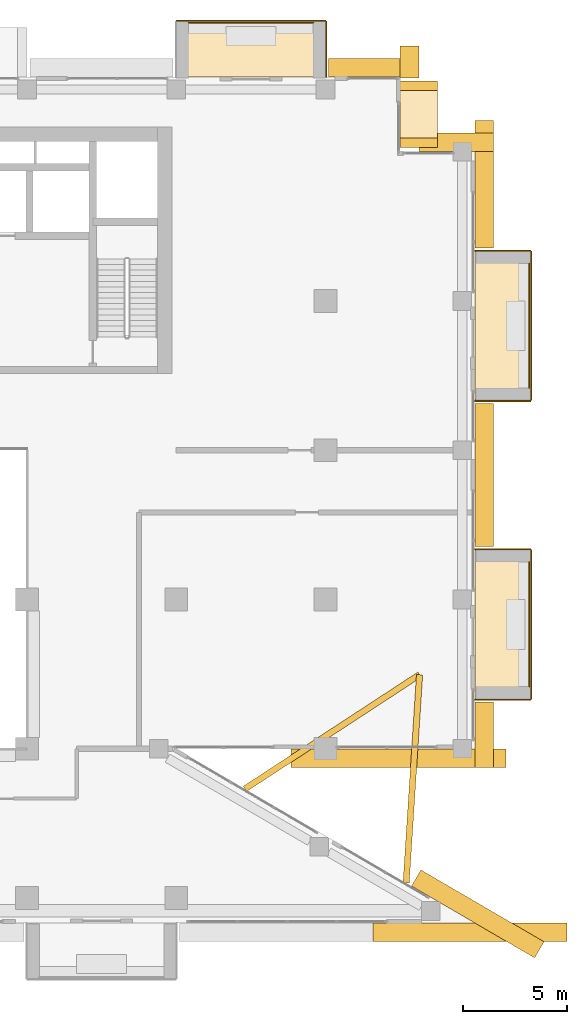
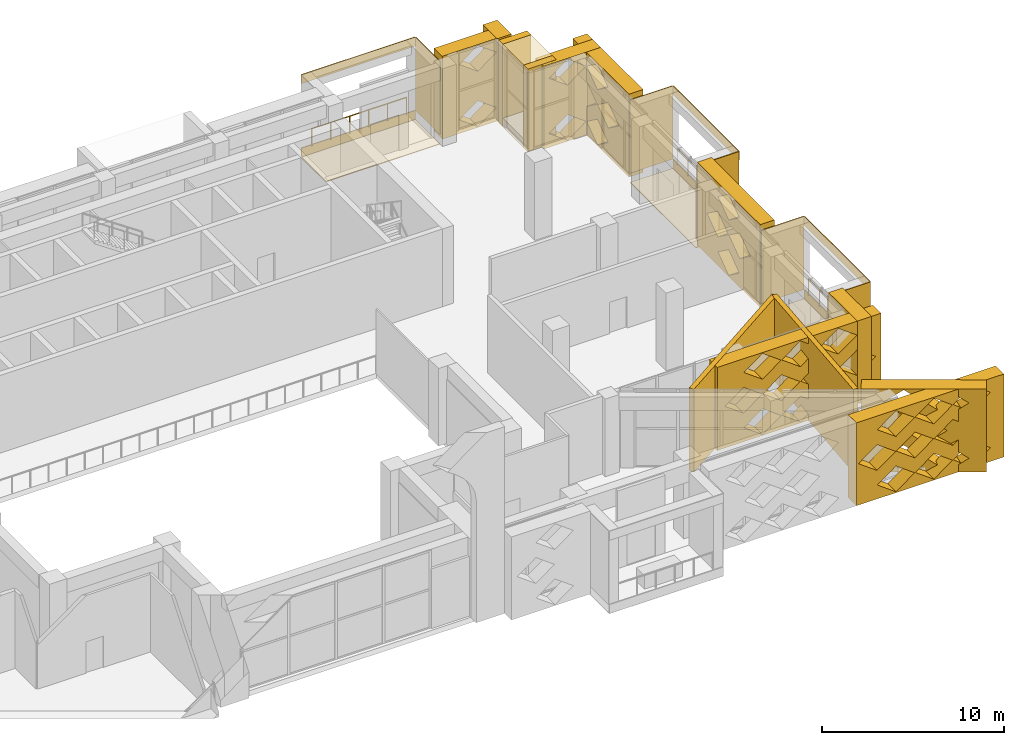
# One storey, part 24 of 25: 29 coverings, 3 railings.
"""IFC4 building model written with IfcOpenShell, lengths in metres."""

from ifc_helpers import new_model, si_unit, direction, frame, origin, origin_2d, place, context, subcontext, project, spatial, polyline, circle, outline, extrude, material, layer, layer_set, type_object, element, save


model = new_model("IFC4")

# Units and contexts
model_context = context("Model", 3, precision=1e-05, world=origin(), true_north=direction((0.0, 1.0)))
body_context = subcontext(model_context, "Body", "Model", "MODEL_VIEW")
ifc_project = project(units=[si_unit("LENGTHUNIT", "METRE"), si_unit("AREAUNIT", "SQUARE_METRE"), si_unit("VOLUMEUNIT", "CUBIC_METRE"), si_unit("PLANEANGLEUNIT", "RADIAN"), si_unit("MASSUNIT", "GRAM", prefix="KILO")], contexts=[model_context])

# Site, building, storey
site_placement = place(None, origin())
site = spatial("IfcSite", under=ifc_project, at=site_placement, CompositionType="ELEMENT")
building_placement = place(site_placement, origin())
building = spatial("IfcBuilding", under=site, at=building_placement, Name="Saffron Iwan Residences", CompositionType="ELEMENT")
storey_placement = place(building_placement, frame((0.0, 0.0, 137.5)))
storey = spatial("IfcBuildingStorey", under=building, at=storey_placement, Name="L36", CompositionType="ELEMENT", Elevation=137.5)

# Railings
ifc_material_1 = material(Name="Stainless steel 316", Category="steel")
railing_type = type_object("IfcRailingType", Name="BALCONY GUARD 1150", PredefinedType="GUARDRAIL", material=ifc_material_1)
for number, where, name in (
    (1, (89.02490234375, 51.0, 0.0), "Balcony guard L36 F2-0"),
    (2, (89.02490234375, 65.39990234375, 0.0), "Balcony guard L36 F2-1"),
):
    element("IfcRailing", number, at=place(storey_placement, frame(where)), inside=storey, type_object=railing_type, Name=name, PredefinedType="GUARDRAIL", context=body_context, shape_type="SweptSolid", body=[
        extrude(circle(Radius=0.02392578125, at=origin_2d()), frame((0.0, 0.0, 1.1259765625), z_axis=(0.0, 1.0, 0.0), x_axis=(-1.0, 0.0, 0.0)), (0.0, 0.0, 1.0), 6.0),
        extrude(circle(Radius=0.02099609375, at=origin_2d()), origin(), (0.0, 0.0, 1.0), 1.101806640625),
        extrude(circle(Radius=0.02099609375, at=origin_2d()), frame((0.0, 1.199951171875, 0.0)), (0.0, 0.0, 1.0), 1.101806640625),
        extrude(circle(Radius=0.02099609375, at=origin_2d()), frame((0.0, 2.39990234375, 0.0)), (0.0, 0.0, 1.0), 1.101806640625),
        extrude(circle(Radius=0.02099609375, at=origin_2d()), frame((0.0, 3.60009765625, 0.0)), (0.0, 0.0, 1.0), 1.101806640625),
        extrude(circle(Radius=0.02099609375, at=origin_2d()), frame((0.0, 4.800048828125, 0.0)), (0.0, 0.0, 1.0), 1.101806640625),
        extrude(circle(Radius=0.02099609375, at=origin_2d()), frame((0.0, 6.0, 0.0)), (0.0, 0.0, 1.0), 1.101806640625),
    ])
railing_placement = place(storey_placement, frame((78.60009765625, 83.02490234375, 0.0)))
element("IfcRailing", 3, at=railing_placement, inside=storey, type_object=railing_type, Name="Balcony guard L36 F5-0", PredefinedType="GUARDRAIL", context=body_context, shape_type="SweptSolid", body=[
    extrude(circle(Radius=0.02392578125, at=origin_2d()), frame((0.0, 0.0, 1.1259765625), z_axis=(-1.0, 0.0, 0.0), x_axis=(0.0, -1.0, 0.0)), (0.0, 0.0, 1.0), 6.0),
    extrude(circle(Radius=0.02099609375, at=origin_2d()), origin(), (0.0, 0.0, 1.0), 1.101806640625),
    extrude(circle(Radius=0.02099609375, at=origin_2d()), frame((-1.199951171875, 0.0, 0.0)), (0.0, 0.0, 1.0), 1.101806640625),
    extrude(circle(Radius=0.02099609375, at=origin_2d()), frame((-2.39990234375, 0.0, 0.0)), (0.0, 0.0, 1.0), 1.101806640625),
    extrude(circle(Radius=0.02099609375, at=origin_2d()), frame((-3.60009765625, 0.0, 0.0)), (0.0, 0.0, 1.0), 1.101806640625),
    extrude(circle(Radius=0.02099609375, at=origin_2d()), frame((-4.800048828125, 0.0, 0.0)), (0.0, 0.0, 1.0), 1.101806640625),
    extrude(circle(Radius=0.02099609375, at=origin_2d()), frame((-6.0, 0.0, 0.0)), (0.0, 0.0, 1.0), 1.101806640625),
])

# Coverings
ifc_material_2 = material(Name="Precast concrete C40/50 white painted", Category="concrete")
ifc_layer_1 = layer(ifc_material_2, 0.050048828125)
ifc_layer_set_1 = layer_set([ifc_layer_1], Name="Precast concrete C40/50 white painted")
covering_type_1 = type_object("IfcCoveringType", Name="FRAME SKIN PRECAST WHITE 50", PredefinedType="CLADDING", material=ifc_layer_set_1)
covering_1_placement = place(storey_placement, frame((0.0, 0.0, -0.60009765625)))
element("IfcCovering", 4, at=covering_1_placement, inside=storey, type_object=covering_type_1, Name="Frame skin slab edge L36 F2-0", PredefinedType="CLADDING", context=body_context, shape_type="SweptSolid", body=[
    extrude(outline(polyline([(89.14990234375, 50.39990234375), (89.14990234375, 57.60009765625), (89.10009765625, 57.60009765625), (89.10009765625, 50.39990234375), (89.14990234375, 50.39990234375)])), origin(), (0.0, 0.0, 1.0), 0.60009765625),
])
covering_2_placement = place(storey_placement, frame((0.0, 0.0, 4.300048828125)))
element("IfcCovering", 5, at=covering_2_placement, inside=storey, type_object=covering_type_1, Name="Frame skin fascia L36 F2-0", PredefinedType="CLADDING", context=body_context, shape_type="SweptSolid", body=[
    extrude(outline(polyline([(89.14990234375, 50.39990234375), (89.14990234375, 57.60009765625), (89.10009765625, 57.60009765625), (89.10009765625, 50.39990234375), (89.14990234375, 50.39990234375)])), origin(), (0.0, 0.0, 1.0), 0.599853515625),
])
covering_3_placement = place(storey_placement, frame((0.0, 0.0, -0.64990234375)))
element("IfcCovering", 6, at=covering_3_placement, inside=storey, type_object=covering_type_1, Name="Frame skin soffit L36 F2-0", PredefinedType="CLADDING", context=body_context, shape_type="SweptSolid", body=[
    extrude(outline(polyline([(89.10009765625, 50.39990234375), (89.10009765625, 57.60009765625), (86.39990234375, 57.60009765625), (86.39990234375, 50.39990234375), (89.10009765625, 50.39990234375)])), origin(), (0.0, 0.0, 1.0), 0.0498046875),
])
covering_4_placement = place(storey_placement, origin())
element("IfcCovering", 7, at=covering_4_placement, inside=storey, type_object=covering_type_1, Name="Frame skin fin L36 F2-0a", PredefinedType="CLADDING", context=body_context, shape_type="SweptSolid", body=[
    extrude(outline(polyline([(89.10009765625, 50.35009765625), (89.10009765625, 50.39990234375), (86.39990234375, 50.39990234375), (86.39990234375, 50.35009765625), (89.10009765625, 50.35009765625)])), origin(), (0.0, 0.0, 1.0), 4.89990234375),
])
covering_5_placement = place(storey_placement, origin())
element("IfcCovering", 8, at=covering_5_placement, inside=storey, type_object=covering_type_1, Name="Frame skin fin L36 F2-0b", PredefinedType="CLADDING", context=body_context, shape_type="SweptSolid", body=[
    extrude(outline(polyline([(89.10009765625, 57.60009765625), (89.10009765625, 57.64990234375), (86.39990234375, 57.64990234375), (86.39990234375, 57.60009765625), (89.10009765625, 57.60009765625)])), origin(), (0.0, 0.0, 1.0), 4.89990234375),
])
covering_6_placement = place(storey_placement, frame((0.0, 0.0, -0.60009765625)))
element("IfcCovering", 9, at=covering_6_placement, inside=storey, type_object=covering_type_1, Name="Frame skin slab edge L36 F2-1", PredefinedType="CLADDING", context=body_context, shape_type="SweptSolid", body=[
    extrude(outline(polyline([(89.14990234375, 64.800048828125), (89.14990234375, 72.0), (89.10009765625, 72.0), (89.10009765625, 64.800048828125), (89.14990234375, 64.800048828125)])), origin(), (0.0, 0.0, 1.0), 0.60009765625),
])
covering_7_placement = place(storey_placement, frame((0.0, 0.0, 4.300048828125)))
element("IfcCovering", 10, at=covering_7_placement, inside=storey, type_object=covering_type_1, Name="Frame skin fascia L36 F2-1", PredefinedType="CLADDING", context=body_context, shape_type="SweptSolid", body=[
    extrude(outline(polyline([(89.14990234375, 64.800048828125), (89.14990234375, 72.0), (89.10009765625, 72.0), (89.10009765625, 64.800048828125), (89.14990234375, 64.800048828125)])), origin(), (0.0, 0.0, 1.0), 0.599853515625),
])
covering_8_placement = place(storey_placement, frame((0.0, 0.0, -0.64990234375)))
element("IfcCovering", 11, at=covering_8_placement, inside=storey, type_object=covering_type_1, Name="Frame skin soffit L36 F2-1", PredefinedType="CLADDING", context=body_context, shape_type="SweptSolid", body=[
    extrude(outline(polyline([(89.10009765625, 64.800048828125), (89.10009765625, 72.0), (86.39990234375, 72.0), (86.39990234375, 64.800048828125), (89.10009765625, 64.800048828125)])), origin(), (0.0, 0.0, 1.0), 0.0498046875),
])
covering_9_placement = place(storey_placement, origin())
element("IfcCovering", 12, at=covering_9_placement, inside=storey, type_object=covering_type_1, Name="Frame skin fin L36 F2-1a", PredefinedType="CLADDING", context=body_context, shape_type="SweptSolid", body=[
    extrude(outline(polyline([(89.10009765625, 64.75), (89.10009765625, 64.800048828125), (86.39990234375, 64.800048828125), (86.39990234375, 64.75), (89.10009765625, 64.75)])), origin(), (0.0, 0.0, 1.0), 4.89990234375),
])
covering_10_placement = place(storey_placement, origin())
element("IfcCovering", 13, at=covering_10_placement, inside=storey, type_object=covering_type_1, Name="Frame skin fin L36 F2-1b", PredefinedType="CLADDING", context=body_context, shape_type="SweptSolid", body=[
    extrude(outline(polyline([(89.10009765625, 72.0), (89.10009765625, 72.050048828125), (86.39990234375, 72.050048828125), (86.39990234375, 72.0), (89.10009765625, 72.0)])), origin(), (0.0, 0.0, 1.0), 4.89990234375),
])
covering_11_placement = place(storey_placement, frame((0.0, 0.0, -0.60009765625)))
element("IfcCovering", 14, at=covering_11_placement, inside=storey, type_object=covering_type_1, Name="Frame skin slab edge L36 F5-0", PredefinedType="CLADDING", context=body_context, shape_type="SweptSolid", body=[
    extrude(outline(polyline([(79.199951171875, 83.14990234375), (72.0, 83.14990234375), (72.0, 83.10009765625), (79.199951171875, 83.10009765625), (79.199951171875, 83.14990234375)])), origin(), (0.0, 0.0, 1.0), 0.60009765625),
])
covering_12_placement = place(storey_placement, frame((0.0, 0.0, 4.300048828125)))
element("IfcCovering", 15, at=covering_12_placement, inside=storey, type_object=covering_type_1, Name="Frame skin fascia L36 F5-0", PredefinedType="CLADDING", context=body_context, shape_type="SweptSolid", body=[
    extrude(outline(polyline([(79.199951171875, 83.14990234375), (72.0, 83.14990234375), (72.0, 83.10009765625), (79.199951171875, 83.10009765625), (79.199951171875, 83.14990234375)])), origin(), (0.0, 0.0, 1.0), 0.599853515625),
])
covering_13_placement = place(storey_placement, frame((0.0, 0.0, -0.64990234375)))
element("IfcCovering", 16, at=covering_13_placement, inside=storey, type_object=covering_type_1, Name="Frame skin soffit L36 F5-0", PredefinedType="CLADDING", context=body_context, shape_type="SweptSolid", body=[
    extrude(outline(polyline([(79.199951171875, 83.10009765625), (72.0, 83.10009765625), (72.0, 80.39990234375), (79.199951171875, 80.39990234375), (79.199951171875, 83.10009765625)])), origin(), (0.0, 0.0, 1.0), 0.0498046875),
])
covering_14_placement = place(storey_placement, origin())
element("IfcCovering", 17, at=covering_14_placement, inside=storey, type_object=covering_type_1, Name="Frame skin fin L36 F5-0a", PredefinedType="CLADDING", context=body_context, shape_type="SweptSolid", body=[
    extrude(outline(polyline([(79.25, 83.10009765625), (79.199951171875, 83.10009765625), (79.199951171875, 80.39990234375), (79.25, 80.39990234375), (79.25, 83.10009765625)])), origin(), (0.0, 0.0, 1.0), 4.89990234375),
])
ifc_material_3 = material(Name="Precast concrete C40/50", Category="concrete")
covering_type_2 = type_object("IfcCoveringType", Name="OUTER SKIN LATTICE SCREEN", PredefinedType="CLADDING", material=ifc_material_3)
covering_15_placement = place(storey_placement, frame((89.283935546875, 37.917724609375, -0.35009765625), z_axis=(0.503803550485, 0.863818257806, 0.0), x_axis=(-0.863818257806, 0.503803550485, 0.0)))
element("IfcCovering", 18, at=covering_15_placement, inside=storey, type_object=covering_type_2, Name="OUTER SKIN lattice screen L36 F0.0", PredefinedType="CLADDING", context=body_context, shape_type="SweptSolid", body=[
    extrude(outline(polyline([(0.0, 0.0), (6.874267578125, 0.0), (6.874267578125, 5.550048828125), (0.0, 5.550048828125), (0.0, 0.0)]), holes=[polyline([(0.958740234375, 0.925048828125), (2.138671875, 0.06005859375), (3.318603515625, 0.925048828125), (2.138671875, 1.7900390625), (0.958740234375, 0.925048828125)]), polyline([(3.358642578125, 0.925048828125), (4.538818359375, 0.06005859375), (5.71875, 0.925048828125), (4.538818359375, 1.7900390625), (3.358642578125, 0.925048828125)]), polyline([(2.15869140625, 2.77490234375), (3.338623046875, 1.909912109375), (4.518798828125, 2.77490234375), (3.338623046875, 3.639892578125), (2.15869140625, 2.77490234375)]), polyline([(0.958740234375, 4.625), (2.138671875, 3.760009765625), (3.318603515625, 4.625), (2.138671875, 5.489990234375), (0.958740234375, 4.625)]), polyline([(3.358642578125, 4.625), (4.538818359375, 3.760009765625), (5.71875, 4.625), (4.538818359375, 5.489990234375), (3.358642578125, 4.625)])]), origin(), (0.0, 0.0, 1.0), 0.89990234375),
])
covering_16_placement = place(storey_placement, frame((77.538818359375, 48.0, -0.35009765625), z_axis=(0.0, -1.0, 0.0), x_axis=(1.0, 0.0, 0.0)))
element("IfcCovering", 19, at=covering_16_placement, inside=storey, type_object=covering_type_2, Name="OUTER SKIN lattice screen L36 F1.0", PredefinedType="CLADDING", context=body_context, shape_type="SweptSolid", body=[
    extrude(outline(polyline([(0.0, 0.0), (10.361328125, 0.0), (10.361328125, 5.550048828125), (0.0, 5.550048828125), (0.0, 0.0)]), holes=[polyline([(1.681396484375, 0.925048828125), (2.861328125, 0.06005859375), (4.041259765625, 0.925048828125), (2.861328125, 1.7900390625), (1.681396484375, 0.925048828125)]), polyline([(4.081298828125, 0.925048828125), (5.26123046875, 0.06005859375), (6.44140625, 0.925048828125), (5.26123046875, 1.7900390625), (4.081298828125, 0.925048828125)]), polyline([(6.481201171875, 0.925048828125), (7.661376953125, 0.06005859375), (8.84130859375, 0.925048828125), (7.661376953125, 1.7900390625), (6.481201171875, 0.925048828125)]), polyline([(0.481201171875, 2.77490234375), (1.661376953125, 1.909912109375), (2.84130859375, 2.77490234375), (1.661376953125, 3.639892578125), (0.481201171875, 2.77490234375)]), polyline([(2.88134765625, 2.77490234375), (4.061279296875, 1.909912109375), (5.2412109375, 2.77490234375), (4.061279296875, 3.639892578125), (2.88134765625, 2.77490234375)]), polyline([(5.28125, 2.77490234375), (6.461181640625, 1.909912109375), (7.641357421875, 2.77490234375), (6.461181640625, 3.639892578125), (5.28125, 2.77490234375)]), polyline([(7.681396484375, 2.77490234375), (8.861328125, 1.909912109375), (10.041259765625, 2.77490234375), (8.861328125, 3.639892578125), (7.681396484375, 2.77490234375)]), polyline([(1.681396484375, 4.625), (2.861328125, 3.760009765625), (4.041259765625, 4.625), (2.861328125, 5.489990234375), (1.681396484375, 4.625)]), polyline([(4.081298828125, 4.625), (5.26123046875, 3.760009765625), (6.44140625, 4.625), (5.26123046875, 5.489990234375), (4.081298828125, 4.625)]), polyline([(6.481201171875, 4.625), (7.661376953125, 3.760009765625), (8.84130859375, 4.625), (7.661376953125, 5.489990234375), (6.481201171875, 4.625)])]), origin(), (0.0, 0.0, 1.0), 0.89990234375),
])
covering_17_placement = place(storey_placement, frame((86.39990234375, 47.10009765625, -0.35009765625), z_axis=(1.0, 0.0, 0.0), x_axis=(0.0, 1.0, 0.0)))
element("IfcCovering", 20, at=covering_17_placement, inside=storey, type_object=covering_type_2, Name="OUTER SKIN lattice screen L36 F2.0", PredefinedType="CLADDING", context=body_context, shape_type="SweptSolid", body=[
    extrude(outline(polyline([(0.0, 0.0), (3.14990234375, 0.0), (3.14990234375, 5.550048828125), (0.0, 5.550048828125), (0.0, 0.0)])), origin(), (0.0, 0.0, 1.0), 0.900146484375),
])
covering_18_placement = place(storey_placement, frame((86.39990234375, 57.75, -0.35009765625), z_axis=(1.0, 0.0, 0.0), x_axis=(0.0, 1.0, 0.0)))
element("IfcCovering", 21, at=covering_18_placement, inside=storey, type_object=covering_type_2, Name="OUTER SKIN lattice screen L36 F2.1", PredefinedType="CLADDING", context=body_context, shape_type="SweptSolid", body=[
    extrude(outline(polyline([(0.0, 0.0), (6.89990234375, 0.0), (6.89990234375, 5.550048828125), (0.0, 5.550048828125), (0.0, 0.0)]), holes=[polyline([(2.27001953125, 0.925048828125), (3.449951171875, 0.06005859375), (4.6298828125, 0.925048828125), (3.449951171875, 1.7900390625), (2.27001953125, 0.925048828125)]), polyline([(1.070068359375, 2.77490234375), (2.25, 1.909912109375), (3.429931640625, 2.77490234375), (2.25, 3.639892578125), (1.070068359375, 2.77490234375)]), polyline([(3.469970703125, 2.77490234375), (4.64990234375, 1.909912109375), (5.830078125, 2.77490234375), (4.64990234375, 3.639892578125), (3.469970703125, 2.77490234375)]), polyline([(2.27001953125, 4.625), (3.449951171875, 3.760009765625), (4.6298828125, 4.625), (3.449951171875, 5.489990234375), (2.27001953125, 4.625)])]), origin(), (0.0, 0.0, 1.0), 0.900146484375),
])
covering_19_placement = place(storey_placement, frame((86.39990234375, 72.14990234375, -0.35009765625), z_axis=(1.0, 0.0, 0.0), x_axis=(0.0, 1.0, 0.0)))
element("IfcCovering", 22, at=covering_19_placement, inside=storey, type_object=covering_type_2, Name="OUTER SKIN lattice screen L36 F2.2", PredefinedType="CLADDING", context=body_context, shape_type="SweptSolid", body=[
    extrude(outline(polyline([(0.0, 0.0), (6.14990234375, 0.0), (6.14990234375, 5.550048828125), (0.0, 5.550048828125), (0.0, 0.0)]), holes=[polyline([(2.27001953125, 0.925048828125), (3.449951171875, 0.06005859375), (4.6298828125, 0.925048828125), (3.449951171875, 1.7900390625), (2.27001953125, 0.925048828125)]), polyline([(1.070068359375, 2.77490234375), (2.25, 1.909912109375), (3.429931640625, 2.77490234375), (2.25, 3.639892578125), (1.070068359375, 2.77490234375)]), polyline([(3.469970703125, 2.77490234375), (4.64990234375, 1.909912109375), (5.830078125, 2.77490234375), (4.64990234375, 3.639892578125), (3.469970703125, 2.77490234375)]), polyline([(2.27001953125, 4.625), (3.449951171875, 3.760009765625), (4.6298828125, 4.625), (3.449951171875, 5.489990234375), (2.27001953125, 4.625)])]), origin(), (0.0, 0.0, 1.0), 0.900146484375),
])
covering_20_placement = place(storey_placement, frame((87.300048828125, 76.800048828125, -0.35009765625), z_axis=(0.0, 1.0, 0.0), x_axis=(-1.0, 0.0, 0.0)))
element("IfcCovering", 23, at=covering_20_placement, inside=storey, type_object=covering_type_2, Name="OUTER SKIN lattice screen L36 F3.0", PredefinedType="CLADDING", context=body_context, shape_type="SweptSolid", body=[
    extrude(outline(polyline([(0.0, 0.0), (3.60009765625, 0.0), (3.60009765625, 5.550048828125), (0.0, 5.550048828125), (0.0, 0.0)]), holes=[polyline([(0.919921875, 0.925048828125), (2.10009765625, 0.06005859375), (3.280029296875, 0.925048828125), (2.10009765625, 1.7900390625), (0.919921875, 0.925048828125)]), polyline([(0.919921875, 4.625), (2.10009765625, 3.760009765625), (3.280029296875, 4.625), (2.10009765625, 5.489990234375), (0.919921875, 4.625)])]), origin(), (0.0, 0.0, 1.0), 0.89990234375),
])
covering_21_placement = place(storey_placement, frame((82.800048828125, 80.35009765625, -0.35009765625), z_axis=(1.0, 0.0, 0.0), x_axis=(0.0, 1.0, 0.0)))
element("IfcCovering", 24, at=covering_21_placement, inside=storey, type_object=covering_type_2, Name="OUTER SKIN lattice screen L36 F4.0", PredefinedType="CLADDING", context=body_context, shape_type="SweptSolid", body=[
    extrude(outline(polyline([(0.0, 0.0), (1.550048828125, 0.0), (1.550048828125, 5.550048828125), (0.0, 5.550048828125), (0.0, 0.0)])), origin(), (0.0, 0.0, 1.0), 0.89990234375),
])
covering_22_placement = place(storey_placement, frame((83.699951171875, 80.39990234375, -0.35009765625), z_axis=(0.0, 1.0, 0.0), x_axis=(-1.0, 0.0, 0.0)))
element("IfcCovering", 25, at=covering_22_placement, inside=storey, type_object=covering_type_2, Name="OUTER SKIN lattice screen L36 F5.0", PredefinedType="CLADDING", context=body_context, shape_type="SweptSolid", body=[
    extrude(outline(polyline([(0.0, 0.0), (4.35009765625, 0.0), (4.35009765625, 5.550048828125), (0.0, 5.550048828125), (0.0, 0.0)]), holes=[polyline([(0.919921875, 0.925048828125), (2.10009765625, 0.06005859375), (3.280029296875, 0.925048828125), (2.10009765625, 1.7900390625), (0.919921875, 0.925048828125)]), polyline([(0.919921875, 4.625), (2.10009765625, 3.760009765625), (3.280029296875, 4.625), (2.10009765625, 5.489990234375), (0.919921875, 4.625)])]), origin(), (0.0, 0.0, 1.0), 0.900146484375),
])
covering_23_placement = place(storey_placement, frame((81.494384765625, 39.60009765625, -0.35009765625), z_axis=(0.0, -1.0, 0.0), x_axis=(1.0, 0.0, 0.0)))
element("IfcCovering", 26, at=covering_23_placement, inside=storey, type_object=covering_type_2, Name="OUTER SKIN lattice screen L36 F11.4", PredefinedType="CLADDING", context=body_context, shape_type="SweptSolid", body=[
    extrude(outline(polyline([(0.0, 0.0), (9.344482421875, 0.0), (9.344482421875, 5.550048828125), (0.0, 5.550048828125), (0.0, 0.0)]), holes=[polyline([(1.32568359375, 0.925048828125), (2.505615234375, 0.06005859375), (3.685791015625, 0.925048828125), (2.505615234375, 1.7900390625), (1.32568359375, 0.925048828125)]), polyline([(3.7255859375, 0.925048828125), (4.90576171875, 0.06005859375), (6.085693359375, 0.925048828125), (4.90576171875, 1.7900390625), (3.7255859375, 0.925048828125)]), polyline([(6.125732421875, 0.925048828125), (7.3056640625, 0.06005859375), (8.485595703125, 0.925048828125), (7.3056640625, 1.7900390625), (6.125732421875, 0.925048828125)]), polyline([(0.125732421875, 2.77490234375), (1.3056640625, 1.909912109375), (2.485595703125, 2.77490234375), (1.3056640625, 3.639892578125), (0.125732421875, 2.77490234375)]), polyline([(2.525634765625, 2.77490234375), (3.705810546875, 1.909912109375), (4.8857421875, 2.77490234375), (3.705810546875, 3.639892578125), (2.525634765625, 2.77490234375)]), polyline([(4.92578125, 2.77490234375), (6.105712890625, 1.909912109375), (7.28564453125, 2.77490234375), (6.105712890625, 3.639892578125), (4.92578125, 2.77490234375)]), polyline([(1.32568359375, 4.625), (2.505615234375, 3.760009765625), (3.685791015625, 4.625), (2.505615234375, 5.489990234375), (1.32568359375, 4.625)]), polyline([(3.7255859375, 4.625), (4.90576171875, 3.760009765625), (6.085693359375, 4.625), (4.90576171875, 5.489990234375), (3.7255859375, 4.625)]), polyline([(6.125732421875, 4.625), (7.3056640625, 3.760009765625), (8.485595703125, 4.625), (7.3056640625, 5.489990234375), (6.125732421875, 4.625)])]), origin(), (0.0, 0.0, 1.0), 0.900146484375),
])
ifc_layer_2 = layer(ifc_material_2, 0.300048828125)
ifc_layer_set_2 = layer_set([ifc_layer_2], Name="Precast concrete C40/50 white painted")
covering_type_3 = type_object("IfcCoveringType", Name="PROW NOSE BLADE PRECAST WHITE", PredefinedType="CLADDING", material=ifc_layer_set_2)
covering_24_placement = place(storey_placement, frame((0.0, 0.0, -0.35009765625)))
element("IfcCovering", 27, at=covering_24_placement, inside=storey, type_object=covering_type_3, Name="Prow nose blade L36 a", PredefinedType="CLADDING", context=body_context, shape_type="SweptSolid", body=[
    extrude(outline(polyline([(83.23681640625, 41.52294921875), (83.884521484375, 51.564453125), (83.585205078125, 51.583740234375), (82.937255859375, 41.542236328125), (83.23681640625, 41.52294921875)])), origin(), (0.0, 0.0, 1.0), 5.550048828125),
])
covering_25_placement = place(storey_placement, frame((0.0, 0.0, -0.35009765625)))
element("IfcCovering", 28, at=covering_25_placement, inside=storey, type_object=covering_type_3, Name="Prow nose blade L36 b", PredefinedType="CLADDING", context=body_context, shape_type="SweptSolid", body=[
    extrude(outline(polyline([(75.39501953125, 45.94189453125), (83.81689453125, 51.448486328125), (83.65283203125, 51.69970703125), (75.23095703125, 46.193115234375), (75.39501953125, 45.94189453125)])), origin(), (0.0, 0.0, 1.0), 5.550048828125),
])
covering_type_4 = type_object("IfcCoveringType", Name="WHITE SUN FRAME PRECAST", PredefinedType="CLADDING", material=ifc_material_2)
for number, where, z_axis, x_axis, name in (
    (29, (82.800048828125, 77.0, -0.35009765625), (1.0, 0.0, 0.0), (0.0, 1.0, 0.0), "Sun frame L36 F4 0.2a"),
    (30, (82.800048828125, 79.75, -0.35009765625), (1.0, 0.0, 0.0), (0.0, 1.0, 0.0), "Sun frame L36 F4 0.2b"),
):
    element("IfcCovering", number, at=place(storey_placement, frame(where, z_axis=z_axis, x_axis=x_axis)), inside=storey, type_object=covering_type_4, Name=name, PredefinedType="CLADDING", context=body_context, shape_type="SweptSolid", body=[
        extrude(outline(polyline([(0.0, 0.0), (0.449951171875, 0.0), (0.449951171875, 5.550048828125), (0.0, 5.550048828125), (0.0, 0.0)])), origin(), (0.0, 0.0, 1.0), 1.800048828125),
    ])
for number, where, z_axis, x_axis, name in (
    (31, (82.800048828125, 77.449951171875, 4.60009765625), (1.0, 0.0, 0.0), (0.0, 1.0, 0.0), "Sun frame L36 F4 0.2h"),
    (32, (82.800048828125, 77.449951171875, -0.35009765625), (1.0, 0.0, 0.0), (0.0, 1.0, 0.0), "Sun frame L36 F4 0.2s"),
):
    element("IfcCovering", number, at=place(storey_placement, frame(where, z_axis=z_axis, x_axis=x_axis)), inside=storey, type_object=covering_type_4, Name=name, PredefinedType="CLADDING", context=body_context, shape_type="SweptSolid", body=[
        extrude(outline(polyline([(0.0, 0.0), (2.300048828125, 0.0), (2.300048828125, 0.60009765625), (0.0, 0.60009765625), (0.0, 0.0)])), origin(), (0.0, 0.0, 1.0), 1.800048828125),
    ])

save(model, "model.ifc")
